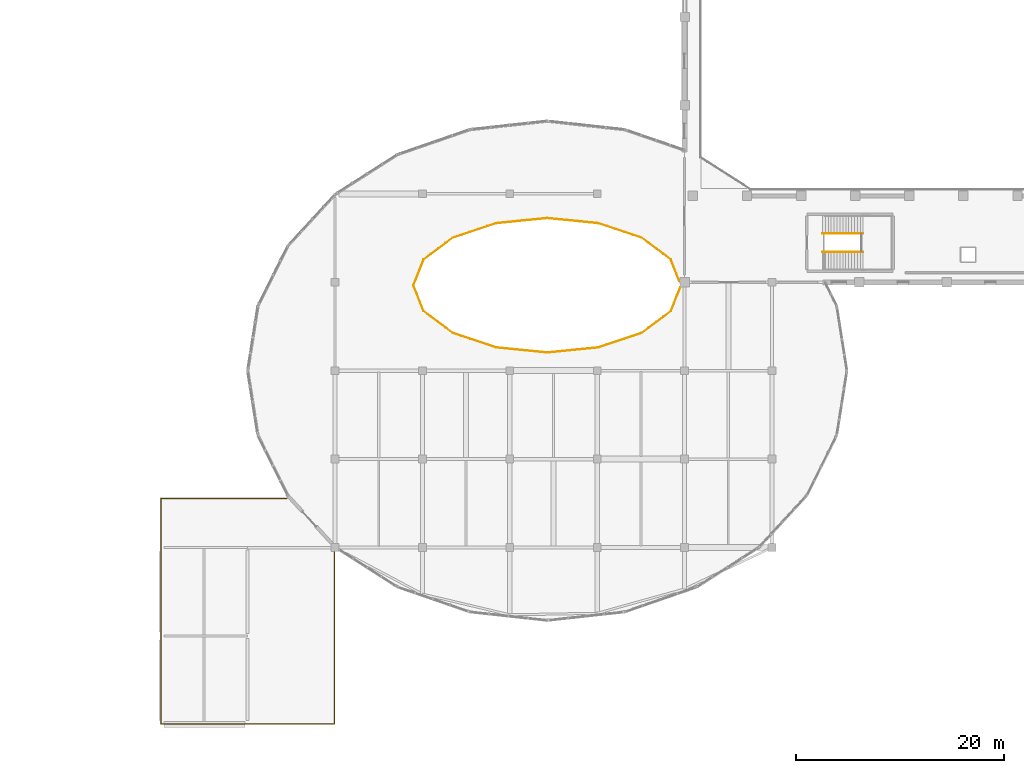
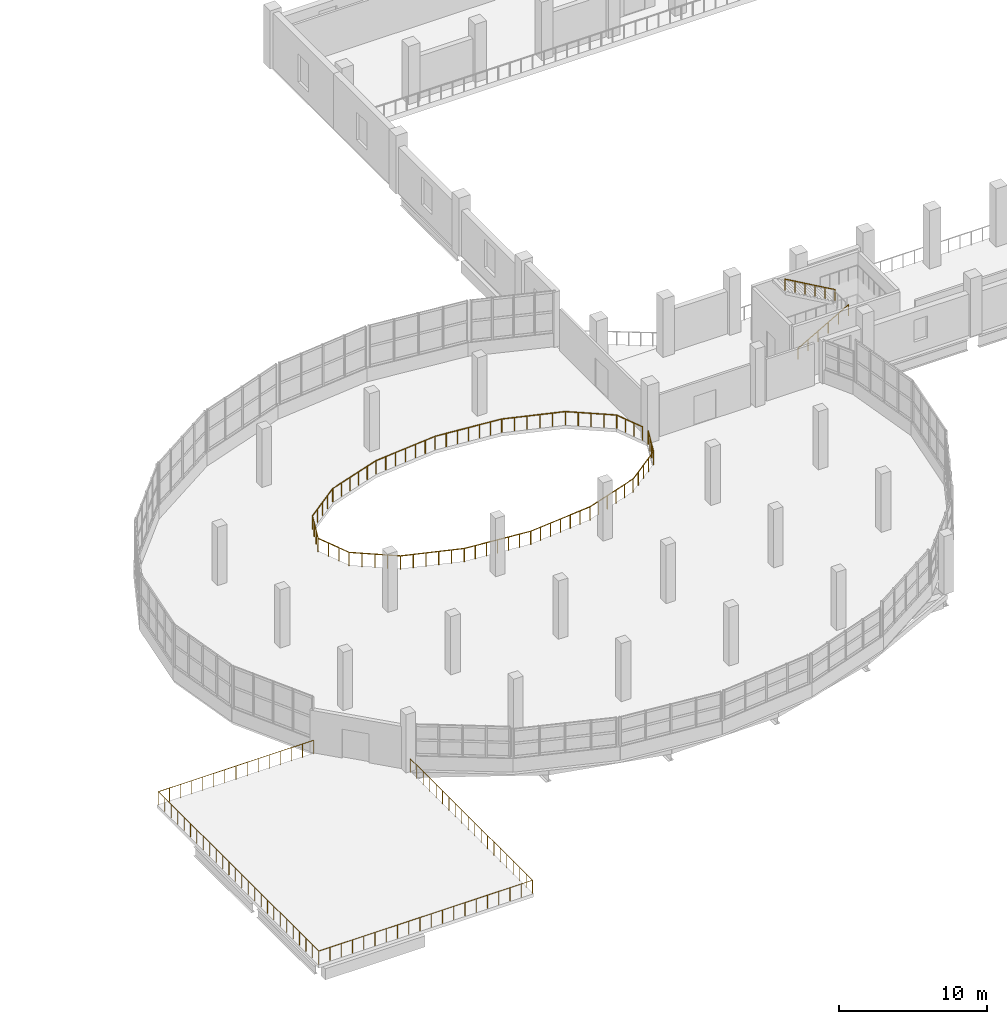
# One storey, part 70 of 77: 5 railings.
"""IFC4 building model written with IfcOpenShell, lengths in metres."""

from ifc_helpers import new_model, si_unit, direction, frame, origin, origin_2d, place, context, subcontext, project, spatial, circle, extrude, material, type_object, element, save


model = new_model("IFC4")

# Units and contexts
model_context = context("Model", 3, precision=1e-05, world=origin(), true_north=direction((0.0, 1.0)))
body_context = subcontext(model_context, "Body", "Model", "MODEL_VIEW")
ifc_project = project(units=[si_unit("LENGTHUNIT", "METRE"), si_unit("AREAUNIT", "SQUARE_METRE"), si_unit("VOLUMEUNIT", "CUBIC_METRE"), si_unit("PLANEANGLEUNIT", "RADIAN"), si_unit("MASSUNIT", "GRAM", prefix="KILO")], contexts=[model_context])

# Site, building, storey
site_placement = place(None, origin())
site = spatial("IfcSite", under=ifc_project, at=site_placement, CompositionType="ELEMENT")
building_placement = place(site_placement, origin())
building = spatial("IfcBuilding", under=site, at=building_placement, Name="Solvento Point Concert Hall", CompositionType="ELEMENT")
storey_placement = place(building_placement, frame((0.0, 0.0, 10.199951171875)))
storey = spatial("IfcBuildingStorey", under=building, at=storey_placement, Name="L02", CompositionType="ELEMENT", Elevation=10.199951171875)

# Railings
ifc_material_1 = material(Name="Brushed Stainless Steel Balustrade", Category="steel")
railing_type_1 = type_object("IfcRailingType", Name="StairHandrail_915", PredefinedType="HANDRAIL", material=ifc_material_1)
railing_1_placement = place(storey_placement, frame((87.64990234375, 45.409912109375, 0.16015625)))
element("IfcRailing", 1, at=railing_1_placement, inside=storey, type_object=railing_type_1, Name="Stair handrail HR-01 ST-06 L02 F1", PredefinedType="HANDRAIL", context=body_context, shape_type="SweptSolid", body=[
    extrude(circle(Radius=0.0224609375, at=origin_2d()), frame((0.0, 0.0, 0.892578125), z_axis=(0.86825312469, 0.0, 0.496121468458), x_axis=(0.0, 1.0, 0.0)), (0.0, 0.0, 1.0), 4.514892578125),
    extrude(circle(Radius=0.01904296875, at=origin_2d()), origin(), (0.0, 0.0, 1.0), 0.8701171875),
    extrude(circle(Radius=0.01904296875, at=origin_2d()), frame((0.783935546875, 0.0, 0.447998046875)), (0.0, 0.0, 1.0), 0.8701171875),
    extrude(circle(Radius=0.01904296875, at=origin_2d()), frame((1.568115234375, 0.0, 0.89599609375)), (0.0, 0.0, 1.0), 0.8701171875),
    extrude(circle(Radius=0.01904296875, at=origin_2d()), frame((2.35205078125, 0.0, 1.343994140625)), (0.0, 0.0, 1.0), 0.8701171875),
    extrude(circle(Radius=0.01904296875, at=origin_2d()), frame((3.13623046875, 0.0, 1.7919921875)), (0.0, 0.0, 1.0), 0.8701171875),
    extrude(circle(Radius=0.01904296875, at=origin_2d()), frame((3.920166015625, 0.0, 2.239990234375)), (0.0, 0.0, 1.0), 0.8701171875),
])
railing_2_placement = place(storey_placement, frame((91.570068359375, 47.18994140625, 2.56005859375)))
element("IfcRailing", 2, at=railing_2_placement, inside=storey, type_object=railing_type_1, Name="Stair handrail HR-01 ST-06 L02 F2", PredefinedType="HANDRAIL", context=body_context, shape_type="SweptSolid", body=[
    extrude(circle(Radius=0.0224609375, at=origin_2d()), frame((0.0, 0.0, 0.892578125), z_axis=(-0.86825312469, 0.0, 0.496121468458), x_axis=(0.0, -1.0, 0.0)), (0.0, 0.0, 1.0), 4.514892578125),
    extrude(circle(Radius=0.01904296875, at=origin_2d()), origin(), (0.0, 0.0, 1.0), 0.8701171875),
    extrude(circle(Radius=0.01904296875, at=origin_2d()), frame((-0.783935546875, 0.0, 0.447998046875)), (0.0, 0.0, 1.0), 0.8701171875),
    extrude(circle(Radius=0.01904296875, at=origin_2d()), frame((-1.568115234375, 0.0, 0.89599609375)), (0.0, 0.0, 1.0), 0.8701171875),
    extrude(circle(Radius=0.01904296875, at=origin_2d()), frame((-2.35205078125, 0.0, 1.343994140625)), (0.0, 0.0, 1.0), 0.8701171875),
    extrude(circle(Radius=0.01904296875, at=origin_2d()), frame((-3.13623046875, 0.0, 1.7919921875)), (0.0, 0.0, 1.0), 0.8701171875),
    extrude(circle(Radius=0.01904296875, at=origin_2d()), frame((-3.920166015625, 0.0, 2.239990234375)), (0.0, 0.0, 1.0), 0.8701171875),
])
ifc_material_2 = material(Name="Brushed Stainless Steel Balustrade", Category="steel")
railing_type_2 = type_object("IfcRailingType", Name="TerraceBalustrade_1100", PredefinedType="BALUSTRADE", material=ifc_material_2)
railing_3_placement = place(storey_placement, frame((40.739990234375, 16.574951171875, 0.0)))
element("IfcRailing", 3, at=railing_3_placement, inside=storey, type_object=railing_type_2, Name="Guard balustrade GR-01 L02", PredefinedType="BALUSTRADE", context=body_context, shape_type="SweptSolid", body=[
    extrude(circle(Radius=0.02392578125, at=origin_2d()), frame((0.0, 0.0, 1.09619140625), z_axis=(0.0, -1.0, 0.0), x_axis=(1.0, 0.0, 0.0)), (0.0, 0.0, 1.0), 16.514892578125),
    extrude(circle(Radius=0.02392578125, at=origin_2d()), frame((0.0, -16.514892578125, 1.09619140625), z_axis=(-1.0, 0.0, 0.0), x_axis=(0.0, -1.0, 0.0)), (0.0, 0.0, 1.0), 16.679931640625),
    extrude(circle(Radius=0.02392578125, at=origin_2d()), frame((-16.679931640625, -16.514892578125, 1.09619140625), z_axis=(0.0, 1.0, 0.0), x_axis=(-1.0, 0.0, 0.0)), (0.0, 0.0, 1.0), 21.679931640625),
    extrude(circle(Radius=0.02392578125, at=origin_2d()), frame((-16.679931640625, 5.1650390625, 1.09619140625), z_axis=(1.0, 0.0, 0.0), x_axis=(0.0, 1.0, 0.0)), (0.0, 0.0, 1.0), 12.111572265625),
    extrude(circle(Radius=0.02099609375, at=origin_2d()), origin(), (0.0, 0.0, 1.0), 1.072021484375),
    extrude(circle(Radius=0.02099609375, at=origin_2d()), frame((0.0, -0.869140625, 0.0)), (0.0, 0.0, 1.0), 1.072021484375),
    extrude(circle(Radius=0.02099609375, at=origin_2d()), frame((0.0, -1.738525390625, 0.0)), (0.0, 0.0, 1.0), 1.072021484375),
    extrude(circle(Radius=0.02099609375, at=origin_2d()), frame((0.0, -2.607666015625, 0.0)), (0.0, 0.0, 1.0), 1.072021484375),
    extrude(circle(Radius=0.02099609375, at=origin_2d()), frame((0.0, -3.476806640625, 0.0)), (0.0, 0.0, 1.0), 1.072021484375),
    extrude(circle(Radius=0.02099609375, at=origin_2d()), frame((0.0, -4.345947265625, 0.0)), (0.0, 0.0, 1.0), 1.072021484375),
    extrude(circle(Radius=0.02099609375, at=origin_2d()), frame((0.0, -5.21533203125, 0.0)), (0.0, 0.0, 1.0), 1.072021484375),
    extrude(circle(Radius=0.02099609375, at=origin_2d()), frame((0.0, -6.08447265625, 0.0)), (0.0, 0.0, 1.0), 1.072021484375),
    extrude(circle(Radius=0.02099609375, at=origin_2d()), frame((0.0, -6.95361328125, 0.0)), (0.0, 0.0, 1.0), 1.072021484375),
    extrude(circle(Radius=0.02099609375, at=origin_2d()), frame((0.0, -7.82275390625, 0.0)), (0.0, 0.0, 1.0), 1.072021484375),
    extrude(circle(Radius=0.02099609375, at=origin_2d()), frame((0.0, -8.692138671875, 0.0)), (0.0, 0.0, 1.0), 1.072021484375),
    extrude(circle(Radius=0.02099609375, at=origin_2d()), frame((0.0, -9.561279296875, 0.0)), (0.0, 0.0, 1.0), 1.072021484375),
    extrude(circle(Radius=0.02099609375, at=origin_2d()), frame((0.0, -10.430419921875, 0.0)), (0.0, 0.0, 1.0), 1.072021484375),
    extrude(circle(Radius=0.02099609375, at=origin_2d()), frame((0.0, -11.299560546875, 0.0)), (0.0, 0.0, 1.0), 1.072021484375),
    extrude(circle(Radius=0.02099609375, at=origin_2d()), frame((0.0, -12.1689453125, 0.0)), (0.0, 0.0, 1.0), 1.072021484375),
    extrude(circle(Radius=0.02099609375, at=origin_2d()), frame((0.0, -13.0380859375, 0.0)), (0.0, 0.0, 1.0), 1.072021484375),
    extrude(circle(Radius=0.02099609375, at=origin_2d()), frame((0.0, -13.9072265625, 0.0)), (0.0, 0.0, 1.0), 1.072021484375),
    extrude(circle(Radius=0.02099609375, at=origin_2d()), frame((0.0, -14.7763671875, 0.0)), (0.0, 0.0, 1.0), 1.072021484375),
    extrude(circle(Radius=0.02099609375, at=origin_2d()), frame((0.0, -15.645751953125, 0.0)), (0.0, 0.0, 1.0), 1.072021484375),
    extrude(circle(Radius=0.02099609375, at=origin_2d()), frame((0.0, -16.514892578125, 0.0)), (0.0, 0.0, 1.0), 1.072021484375),
    extrude(circle(Radius=0.02099609375, at=origin_2d()), frame((-0.8779296875, -16.514892578125, 0.0)), (0.0, 0.0, 1.0), 1.072021484375),
    extrude(circle(Radius=0.02099609375, at=origin_2d()), frame((-1.755859375, -16.514892578125, 0.0)), (0.0, 0.0, 1.0), 1.072021484375),
    extrude(circle(Radius=0.02099609375, at=origin_2d()), frame((-2.6337890625, -16.514892578125, 0.0)), (0.0, 0.0, 1.0), 1.072021484375),
    extrude(circle(Radius=0.02099609375, at=origin_2d()), frame((-3.511474609375, -16.514892578125, 0.0)), (0.0, 0.0, 1.0), 1.072021484375),
    extrude(circle(Radius=0.02099609375, at=origin_2d()), frame((-4.389404296875, -16.514892578125, 0.0)), (0.0, 0.0, 1.0), 1.072021484375),
    extrude(circle(Radius=0.02099609375, at=origin_2d()), frame((-5.267333984375, -16.514892578125, 0.0)), (0.0, 0.0, 1.0), 1.072021484375),
    extrude(circle(Radius=0.02099609375, at=origin_2d()), frame((-6.145263671875, -16.514892578125, 0.0)), (0.0, 0.0, 1.0), 1.072021484375),
    extrude(circle(Radius=0.02099609375, at=origin_2d()), frame((-7.023193359375, -16.514892578125, 0.0)), (0.0, 0.0, 1.0), 1.072021484375),
    extrude(circle(Radius=0.02099609375, at=origin_2d()), frame((-7.901123046875, -16.514892578125, 0.0)), (0.0, 0.0, 1.0), 1.072021484375),
    extrude(circle(Radius=0.02099609375, at=origin_2d()), frame((-8.77880859375, -16.514892578125, 0.0)), (0.0, 0.0, 1.0), 1.072021484375),
    extrude(circle(Radius=0.02099609375, at=origin_2d()), frame((-9.65673828125, -16.514892578125, 0.0)), (0.0, 0.0, 1.0), 1.072021484375),
    extrude(circle(Radius=0.02099609375, at=origin_2d()), frame((-10.53466796875, -16.514892578125, 0.0)), (0.0, 0.0, 1.0), 1.072021484375),
    extrude(circle(Radius=0.02099609375, at=origin_2d()), frame((-11.41259765625, -16.514892578125, 0.0)), (0.0, 0.0, 1.0), 1.072021484375),
    extrude(circle(Radius=0.02099609375, at=origin_2d()), frame((-12.29052734375, -16.514892578125, 0.0)), (0.0, 0.0, 1.0), 1.072021484375),
    extrude(circle(Radius=0.02099609375, at=origin_2d()), frame((-13.16845703125, -16.514892578125, 0.0)), (0.0, 0.0, 1.0), 1.072021484375),
    extrude(circle(Radius=0.02099609375, at=origin_2d()), frame((-14.046142578125, -16.514892578125, 0.0)), (0.0, 0.0, 1.0), 1.072021484375),
    extrude(circle(Radius=0.02099609375, at=origin_2d()), frame((-14.924072265625, -16.514892578125, 0.0)), (0.0, 0.0, 1.0), 1.072021484375),
    extrude(circle(Radius=0.02099609375, at=origin_2d()), frame((-15.802001953125, -16.514892578125, 0.0)), (0.0, 0.0, 1.0), 1.072021484375),
    extrude(circle(Radius=0.02099609375, at=origin_2d()), frame((-16.679931640625, -16.514892578125, 0.0)), (0.0, 0.0, 1.0), 1.072021484375),
    extrude(circle(Radius=0.02099609375, at=origin_2d()), frame((-16.679931640625, -15.647705078125, 0.0)), (0.0, 0.0, 1.0), 1.072021484375),
    extrude(circle(Radius=0.02099609375, at=origin_2d()), frame((-16.679931640625, -14.780517578125, 0.0)), (0.0, 0.0, 1.0), 1.072021484375),
    extrude(circle(Radius=0.02099609375, at=origin_2d()), frame((-16.679931640625, -13.913330078125, 0.0)), (0.0, 0.0, 1.0), 1.072021484375),
    extrude(circle(Radius=0.02099609375, at=origin_2d()), frame((-16.679931640625, -13.046142578125, 0.0)), (0.0, 0.0, 1.0), 1.072021484375),
    extrude(circle(Radius=0.02099609375, at=origin_2d()), frame((-16.679931640625, -12.178955078125, 0.0)), (0.0, 0.0, 1.0), 1.072021484375),
    extrude(circle(Radius=0.02099609375, at=origin_2d()), frame((-16.679931640625, -11.311767578125, 0.0)), (0.0, 0.0, 1.0), 1.072021484375),
    extrude(circle(Radius=0.02099609375, at=origin_2d()), frame((-16.679931640625, -10.444580078125, 0.0)), (0.0, 0.0, 1.0), 1.072021484375),
    extrude(circle(Radius=0.02099609375, at=origin_2d()), frame((-16.679931640625, -9.577392578125, 0.0)), (0.0, 0.0, 1.0), 1.072021484375),
    extrude(circle(Radius=0.02099609375, at=origin_2d()), frame((-16.679931640625, -8.710205078125, 0.0)), (0.0, 0.0, 1.0), 1.072021484375),
    extrude(circle(Radius=0.02099609375, at=origin_2d()), frame((-16.679931640625, -7.843017578125, 0.0)), (0.0, 0.0, 1.0), 1.072021484375),
    extrude(circle(Radius=0.02099609375, at=origin_2d()), frame((-16.679931640625, -6.975830078125, 0.0)), (0.0, 0.0, 1.0), 1.072021484375),
    extrude(circle(Radius=0.02099609375, at=origin_2d()), frame((-16.679931640625, -6.108642578125, 0.0)), (0.0, 0.0, 1.0), 1.072021484375),
    extrude(circle(Radius=0.02099609375, at=origin_2d()), frame((-16.679931640625, -5.2412109375, 0.0)), (0.0, 0.0, 1.0), 1.072021484375),
    extrude(circle(Radius=0.02099609375, at=origin_2d()), frame((-16.679931640625, -4.3740234375, 0.0)), (0.0, 0.0, 1.0), 1.072021484375),
    extrude(circle(Radius=0.02099609375, at=origin_2d()), frame((-16.679931640625, -3.5068359375, 0.0)), (0.0, 0.0, 1.0), 1.072021484375),
    extrude(circle(Radius=0.02099609375, at=origin_2d()), frame((-16.679931640625, -2.6396484375, 0.0)), (0.0, 0.0, 1.0), 1.072021484375),
    extrude(circle(Radius=0.02099609375, at=origin_2d()), frame((-16.679931640625, -1.7724609375, 0.0)), (0.0, 0.0, 1.0), 1.072021484375),
    extrude(circle(Radius=0.02099609375, at=origin_2d()), frame((-16.679931640625, -0.9052734375, 0.0)), (0.0, 0.0, 1.0), 1.072021484375),
    extrude(circle(Radius=0.02099609375, at=origin_2d()), frame((-16.679931640625, -0.0380859375, 0.0)), (0.0, 0.0, 1.0), 1.072021484375),
    extrude(circle(Radius=0.02099609375, at=origin_2d()), frame((-16.679931640625, 0.8291015625, 0.0)), (0.0, 0.0, 1.0), 1.072021484375),
    extrude(circle(Radius=0.02099609375, at=origin_2d()), frame((-16.679931640625, 1.6962890625, 0.0)), (0.0, 0.0, 1.0), 1.072021484375),
    extrude(circle(Radius=0.02099609375, at=origin_2d()), frame((-16.679931640625, 2.5634765625, 0.0)), (0.0, 0.0, 1.0), 1.072021484375),
    extrude(circle(Radius=0.02099609375, at=origin_2d()), frame((-16.679931640625, 3.4306640625, 0.0)), (0.0, 0.0, 1.0), 1.072021484375),
    extrude(circle(Radius=0.02099609375, at=origin_2d()), frame((-16.679931640625, 4.2978515625, 0.0)), (0.0, 0.0, 1.0), 1.072021484375),
    extrude(circle(Radius=0.02099609375, at=origin_2d()), frame((-16.679931640625, 5.1650390625, 0.0)), (0.0, 0.0, 1.0), 1.072021484375),
    extrude(circle(Radius=0.02099609375, at=origin_2d()), frame((-15.81494140625, 5.1650390625, 0.0)), (0.0, 0.0, 1.0), 1.072021484375),
    extrude(circle(Radius=0.02099609375, at=origin_2d()), frame((-14.94970703125, 5.1650390625, 0.0)), (0.0, 0.0, 1.0), 1.072021484375),
    extrude(circle(Radius=0.02099609375, at=origin_2d()), frame((-14.08447265625, 5.1650390625, 0.0)), (0.0, 0.0, 1.0), 1.072021484375),
    extrude(circle(Radius=0.02099609375, at=origin_2d()), frame((-13.219482421875, 5.1650390625, 0.0)), (0.0, 0.0, 1.0), 1.072021484375),
    extrude(circle(Radius=0.02099609375, at=origin_2d()), frame((-12.3544921875, 5.1650390625, 0.0)), (0.0, 0.0, 1.0), 1.072021484375),
    extrude(circle(Radius=0.02099609375, at=origin_2d()), frame((-11.4892578125, 5.1650390625, 0.0)), (0.0, 0.0, 1.0), 1.072021484375),
    extrude(circle(Radius=0.02099609375, at=origin_2d()), frame((-10.6240234375, 5.1650390625, 0.0)), (0.0, 0.0, 1.0), 1.072021484375),
    extrude(circle(Radius=0.02099609375, at=origin_2d()), frame((-9.759033203125, 5.1650390625, 0.0)), (0.0, 0.0, 1.0), 1.072021484375),
    extrude(circle(Radius=0.02099609375, at=origin_2d()), frame((-8.89404296875, 5.1650390625, 0.0)), (0.0, 0.0, 1.0), 1.072021484375),
    extrude(circle(Radius=0.02099609375, at=origin_2d()), frame((-8.02880859375, 5.1650390625, 0.0)), (0.0, 0.0, 1.0), 1.072021484375),
    extrude(circle(Radius=0.02099609375, at=origin_2d()), frame((-7.16357421875, 5.1650390625, 0.0)), (0.0, 0.0, 1.0), 1.072021484375),
    extrude(circle(Radius=0.02099609375, at=origin_2d()), frame((-6.298583984375, 5.1650390625, 0.0)), (0.0, 0.0, 1.0), 1.072021484375),
    extrude(circle(Radius=0.02099609375, at=origin_2d()), frame((-5.43359375, 5.1650390625, 0.0)), (0.0, 0.0, 1.0), 1.072021484375),
    extrude(circle(Radius=0.02099609375, at=origin_2d()), frame((-4.568359375, 5.1650390625, 0.0)), (0.0, 0.0, 1.0), 1.072021484375),
])
railing_4_placement = place(storey_placement, frame((52.120849609375, 46.779296875, 0.0)))
element("IfcRailing", 4, at=railing_4_placement, inside=storey, type_object=railing_type_2, Name="Guard balustrade GR-01 L02", PredefinedType="BALUSTRADE", context=body_context, shape_type="SweptSolid", body=[
    extrude(circle(Radius=0.02392578125, at=origin_2d()), frame((0.0, 0.0, 1.09619140625), z_axis=(-0.800662244724, -0.599115990333, 0.0), x_axis=(0.599115990333, -0.800662244724, 0.0)), (0.0, 0.0, 1.0), 3.4921875),
    extrude(circle(Radius=0.02392578125, at=origin_2d()), frame((-2.796142578125, -2.09228515625, 1.09619140625), z_axis=(-0.369597166612, -0.92919208694, 0.0), x_axis=(0.92919208694, -0.369597166612, 0.0)), (0.0, 0.0, 1.0), 2.676513671875),
    extrude(circle(Radius=0.02392578125, at=origin_2d()), frame((-3.785400390625, -4.579345703125, 1.09619140625), z_axis=(0.369597166612, -0.92919208694, 0.0), x_axis=(0.92919208694, 0.369597166612, 0.0)), (0.0, 0.0, 1.0), 2.676513671875),
    extrude(circle(Radius=0.02392578125, at=origin_2d()), frame((-2.796142578125, -7.06640625, 1.09619140625), z_axis=(0.800662244724, -0.599115990333, 0.0), x_axis=(0.599115990333, 0.800662244724, 0.0)), (0.0, 0.0, 1.0), 3.4921875),
    extrude(circle(Radius=0.02392578125, at=origin_2d()), frame((0.0, -9.15869140625, 1.09619140625), z_axis=(0.948483111882, -0.31682769209, 0.0), x_axis=(0.31682769209, 0.948483111882, 0.0)), (0.0, 0.0, 1.0), 4.39453125),
    extrude(circle(Radius=0.02392578125, at=origin_2d()), frame((4.168212890625, -10.551025390625, 1.09619140625), z_axis=(0.995088486481, -0.098989413942, 0.0), x_axis=(0.098989413942, 0.995088486481, 0.0)), (0.0, 0.0, 1.0), 4.93505859375),
    extrude(circle(Radius=0.02392578125, at=origin_2d()), frame((9.0791015625, -11.03955078125, 1.09619140625), z_axis=(0.995088486481, 0.098989413942, 0.0), x_axis=(-0.098989413942, 0.995088486481, 0.0)), (0.0, 0.0, 1.0), 4.93505859375),
    extrude(circle(Radius=0.02392578125, at=origin_2d()), frame((13.989990234375, -10.551025390625, 1.09619140625), z_axis=(0.948488687996, 0.316810998456, 0.0), x_axis=(-0.316810998456, 0.948488687996, 0.0)), (0.0, 0.0, 1.0), 4.394775390625),
    extrude(circle(Radius=0.02392578125, at=origin_2d()), frame((18.158447265625, -9.15869140625, 1.09619140625), z_axis=(0.800637149656, 0.59914952607, 0.0), x_axis=(-0.59914952607, 0.800637149656, 0.0)), (0.0, 0.0, 1.0), 3.4921875),
    extrude(circle(Radius=0.02392578125, at=origin_2d()), frame((20.954345703125, -7.06640625, 1.09619140625), z_axis=(0.369662845052, 0.929165959874, 0.0), x_axis=(-0.929165959874, 0.369662845052, 0.0)), (0.0, 0.0, 1.0), 2.46142578125),
    extrude(circle(Radius=0.02099609375, at=origin_2d()), origin(), (0.0, 0.0, 1.0), 1.072021484375),
    extrude(circle(Radius=0.02099609375, at=origin_2d()), frame((-0.698974609375, -0.52294921875, 0.0)), (0.0, 0.0, 1.0), 1.072021484375),
    extrude(circle(Radius=0.02099609375, at=origin_2d()), frame((-1.39794921875, -1.046142578125, 0.0)), (0.0, 0.0, 1.0), 1.072021484375),
    extrude(circle(Radius=0.02099609375, at=origin_2d()), frame((-2.09716796875, -1.5693359375, 0.0)), (0.0, 0.0, 1.0), 1.072021484375),
    extrude(circle(Radius=0.02099609375, at=origin_2d()), frame((-2.796142578125, -2.09228515625, 0.0)), (0.0, 0.0, 1.0), 1.072021484375),
    extrude(circle(Radius=0.02099609375, at=origin_2d()), frame((-3.1259765625, -2.92138671875, 0.0)), (0.0, 0.0, 1.0), 1.072021484375),
    extrude(circle(Radius=0.02099609375, at=origin_2d()), frame((-3.45556640625, -3.750244140625, 0.0)), (0.0, 0.0, 1.0), 1.072021484375),
    extrude(circle(Radius=0.02099609375, at=origin_2d()), frame((-3.785400390625, -4.579345703125, 0.0)), (0.0, 0.0, 1.0), 1.072021484375),
    extrude(circle(Radius=0.02099609375, at=origin_2d()), frame((-3.45556640625, -5.408447265625, 0.0)), (0.0, 0.0, 1.0), 1.072021484375),
    extrude(circle(Radius=0.02099609375, at=origin_2d()), frame((-3.1259765625, -6.2373046875, 0.0)), (0.0, 0.0, 1.0), 1.072021484375),
    extrude(circle(Radius=0.02099609375, at=origin_2d()), frame((-2.796142578125, -7.06640625, 0.0)), (0.0, 0.0, 1.0), 1.072021484375),
    extrude(circle(Radius=0.02099609375, at=origin_2d()), frame((-2.09716796875, -7.58935546875, 0.0)), (0.0, 0.0, 1.0), 1.072021484375),
    extrude(circle(Radius=0.02099609375, at=origin_2d()), frame((-1.39794921875, -8.112548828125, 0.0)), (0.0, 0.0, 1.0), 1.072021484375),
    extrude(circle(Radius=0.02099609375, at=origin_2d()), frame((-0.698974609375, -8.6357421875, 0.0)), (0.0, 0.0, 1.0), 1.072021484375),
    extrude(circle(Radius=0.02099609375, at=origin_2d()), frame((0.0, -9.15869140625, 0.0)), (0.0, 0.0, 1.0), 1.072021484375),
    extrude(circle(Radius=0.02099609375, at=origin_2d()), frame((0.833740234375, -9.437255859375, 0.0)), (0.0, 0.0, 1.0), 1.072021484375),
    extrude(circle(Radius=0.02099609375, at=origin_2d()), frame((1.667236328125, -9.715576171875, 0.0)), (0.0, 0.0, 1.0), 1.072021484375),
    extrude(circle(Radius=0.02099609375, at=origin_2d()), frame((2.5009765625, -9.994140625, 0.0)), (0.0, 0.0, 1.0), 1.072021484375),
    extrude(circle(Radius=0.02099609375, at=origin_2d()), frame((3.33447265625, -10.2724609375, 0.0)), (0.0, 0.0, 1.0), 1.072021484375),
    extrude(circle(Radius=0.02099609375, at=origin_2d()), frame((4.168212890625, -10.551025390625, 0.0)), (0.0, 0.0, 1.0), 1.072021484375),
    extrude(circle(Radius=0.02099609375, at=origin_2d()), frame((4.98681640625, -10.63232421875, 0.0)), (0.0, 0.0, 1.0), 1.072021484375),
    extrude(circle(Radius=0.02099609375, at=origin_2d()), frame((5.80517578125, -10.7138671875, 0.0)), (0.0, 0.0, 1.0), 1.072021484375),
    extrude(circle(Radius=0.02099609375, at=origin_2d()), frame((6.62353515625, -10.79541015625, 0.0)), (0.0, 0.0, 1.0), 1.072021484375),
    extrude(circle(Radius=0.02099609375, at=origin_2d()), frame((7.442138671875, -10.876708984375, 0.0)), (0.0, 0.0, 1.0), 1.072021484375),
    extrude(circle(Radius=0.02099609375, at=origin_2d()), frame((8.2607421875, -10.9580078125, 0.0)), (0.0, 0.0, 1.0), 1.072021484375),
    extrude(circle(Radius=0.02099609375, at=origin_2d()), frame((9.0791015625, -11.03955078125, 0.0)), (0.0, 0.0, 1.0), 1.072021484375),
    extrude(circle(Radius=0.02099609375, at=origin_2d()), frame((9.8974609375, -10.9580078125, 0.0)), (0.0, 0.0, 1.0), 1.072021484375),
    extrude(circle(Radius=0.02099609375, at=origin_2d()), frame((10.716064453125, -10.876708984375, 0.0)), (0.0, 0.0, 1.0), 1.072021484375),
    extrude(circle(Radius=0.02099609375, at=origin_2d()), frame((11.53466796875, -10.79541015625, 0.0)), (0.0, 0.0, 1.0), 1.072021484375),
    extrude(circle(Radius=0.02099609375, at=origin_2d()), frame((12.35302734375, -10.7138671875, 0.0)), (0.0, 0.0, 1.0), 1.072021484375),
    extrude(circle(Radius=0.02099609375, at=origin_2d()), frame((13.17138671875, -10.63232421875, 0.0)), (0.0, 0.0, 1.0), 1.072021484375),
    extrude(circle(Radius=0.02099609375, at=origin_2d()), frame((13.989990234375, -10.551025390625, 0.0)), (0.0, 0.0, 1.0), 1.072021484375),
    extrude(circle(Radius=0.02099609375, at=origin_2d()), frame((14.82373046875, -10.2724609375, 0.0)), (0.0, 0.0, 1.0), 1.072021484375),
    extrude(circle(Radius=0.02099609375, at=origin_2d()), frame((15.657470703125, -9.994140625, 0.0)), (0.0, 0.0, 1.0), 1.072021484375),
    extrude(circle(Radius=0.02099609375, at=origin_2d()), frame((16.490966796875, -9.715576171875, 0.0)), (0.0, 0.0, 1.0), 1.072021484375),
    extrude(circle(Radius=0.02099609375, at=origin_2d()), frame((17.32470703125, -9.437255859375, 0.0)), (0.0, 0.0, 1.0), 1.072021484375),
    extrude(circle(Radius=0.02099609375, at=origin_2d()), frame((18.158447265625, -9.15869140625, 0.0)), (0.0, 0.0, 1.0), 1.072021484375),
    extrude(circle(Radius=0.02099609375, at=origin_2d()), frame((18.857421875, -8.6357421875, 0.0)), (0.0, 0.0, 1.0), 1.072021484375),
    extrude(circle(Radius=0.02099609375, at=origin_2d()), frame((19.556396484375, -8.112548828125, 0.0)), (0.0, 0.0, 1.0), 1.072021484375),
    extrude(circle(Radius=0.02099609375, at=origin_2d()), frame((20.25537109375, -7.58935546875, 0.0)), (0.0, 0.0, 1.0), 1.072021484375),
    extrude(circle(Radius=0.02099609375, at=origin_2d()), frame((20.954345703125, -7.06640625, 0.0)), (0.0, 0.0, 1.0), 1.072021484375),
    extrude(circle(Radius=0.02099609375, at=origin_2d()), frame((21.257568359375, -6.303955078125, 0.0)), (0.0, 0.0, 1.0), 1.072021484375),
    extrude(circle(Radius=0.02099609375, at=origin_2d()), frame((21.56103515625, -5.541748046875, 0.0)), (0.0, 0.0, 1.0), 1.072021484375),
    extrude(circle(Radius=0.02099609375, at=origin_2d()), frame((21.8642578125, -4.779296875, 0.0)), (0.0, 0.0, 1.0), 1.072021484375),
])
railing_5_placement = place(storey_placement, frame((73.89990234375, 42.61376953125, 0.0)))
element("IfcRailing", 5, at=railing_5_placement, inside=storey, type_object=railing_type_2, Name="Guard balustrade GR-01 L02", PredefinedType="BALUSTRADE", context=body_context, shape_type="SweptSolid", body=[
    extrude(circle(Radius=0.02392578125, at=origin_2d()), frame((0.0, 0.0, 1.09619140625), z_axis=(-0.369616660008, 0.929184332974, 0.0), x_axis=(-0.929184332974, -0.369616660008, 0.0)), (0.0, 0.0, 1.0), 2.231201171875),
    extrude(circle(Radius=0.02392578125, at=origin_2d()), frame((-0.82470703125, 2.0732421875, 1.09619140625), z_axis=(-0.800637149656, 0.59914952607, 0.0), x_axis=(-0.59914952607, -0.800637149656, 0.0)), (0.0, 0.0, 1.0), 3.4921875),
    extrude(circle(Radius=0.02392578125, at=origin_2d()), frame((-3.62060546875, 4.16552734375, 1.09619140625), z_axis=(-0.94847199417, 0.316860973102, 0.0), x_axis=(-0.316860973102, -0.94847199417, 0.0)), (0.0, 0.0, 1.0), 4.39501953125),
    extrude(circle(Radius=0.02392578125, at=origin_2d()), frame((-7.7890625, 5.55810546875, 1.09619140625), z_axis=(-0.995088486481, 0.098989413942, 0.0), x_axis=(-0.098989413942, -0.995088486481, 0.0)), (0.0, 0.0, 1.0), 4.93505859375),
    extrude(circle(Radius=0.02392578125, at=origin_2d()), frame((-12.699951171875, 6.046630859375, 1.09619140625), z_axis=(-0.995088486481, -0.098989413942, 0.0), x_axis=(0.098989413942, -0.995088486481, 0.0)), (0.0, 0.0, 1.0), 4.93505859375),
    extrude(circle(Radius=0.02392578125, at=origin_2d()), frame((-17.61083984375, 5.55810546875, 1.09619140625), z_axis=(-0.948466416394, -0.316877668782, 0.0), x_axis=(0.316877668782, -0.948466416394, 0.0)), (0.0, 0.0, 1.0), 4.394775390625),
    extrude(circle(Radius=0.02099609375, at=origin_2d()), origin(), (0.0, 0.0, 1.0), 1.072021484375),
    extrude(circle(Radius=0.02099609375, at=origin_2d()), frame((-0.27490234375, 0.691162109375, 0.0)), (0.0, 0.0, 1.0), 1.072021484375),
    extrude(circle(Radius=0.02099609375, at=origin_2d()), frame((-0.5498046875, 1.382080078125, 0.0)), (0.0, 0.0, 1.0), 1.072021484375),
    extrude(circle(Radius=0.02099609375, at=origin_2d()), frame((-0.82470703125, 2.0732421875, 0.0)), (0.0, 0.0, 1.0), 1.072021484375),
    extrude(circle(Radius=0.02099609375, at=origin_2d()), frame((-1.523681640625, 2.59619140625, 0.0)), (0.0, 0.0, 1.0), 1.072021484375),
    extrude(circle(Radius=0.02099609375, at=origin_2d()), frame((-2.22265625, 3.119384765625, 0.0)), (0.0, 0.0, 1.0), 1.072021484375),
    extrude(circle(Radius=0.02099609375, at=origin_2d()), frame((-2.921630859375, 3.642578125, 0.0)), (0.0, 0.0, 1.0), 1.072021484375),
    extrude(circle(Radius=0.02099609375, at=origin_2d()), frame((-3.62060546875, 4.16552734375, 0.0)), (0.0, 0.0, 1.0), 1.072021484375),
    extrude(circle(Radius=0.02099609375, at=origin_2d()), frame((-4.454345703125, 4.444091796875, 0.0)), (0.0, 0.0, 1.0), 1.072021484375),
    extrude(circle(Radius=0.02099609375, at=origin_2d()), frame((-5.2880859375, 4.72265625, 0.0)), (0.0, 0.0, 1.0), 1.072021484375),
    extrude(circle(Radius=0.02099609375, at=origin_2d()), frame((-6.12158203125, 5.0009765625, 0.0)), (0.0, 0.0, 1.0), 1.072021484375),
    extrude(circle(Radius=0.02099609375, at=origin_2d()), frame((-6.955322265625, 5.279541015625, 0.0)), (0.0, 0.0, 1.0), 1.072021484375),
    extrude(circle(Radius=0.02099609375, at=origin_2d()), frame((-7.7890625, 5.55810546875, 0.0)), (0.0, 0.0, 1.0), 1.072021484375),
    extrude(circle(Radius=0.02099609375, at=origin_2d()), frame((-8.607421875, 5.6396484375, 0.0)), (0.0, 0.0, 1.0), 1.072021484375),
    extrude(circle(Radius=0.02099609375, at=origin_2d()), frame((-9.426025390625, 5.720947265625, 0.0)), (0.0, 0.0, 1.0), 1.072021484375),
    extrude(circle(Radius=0.02099609375, at=origin_2d()), frame((-10.24462890625, 5.80224609375, 0.0)), (0.0, 0.0, 1.0), 1.072021484375),
    extrude(circle(Radius=0.02099609375, at=origin_2d()), frame((-11.06298828125, 5.8837890625, 0.0)), (0.0, 0.0, 1.0), 1.072021484375),
    extrude(circle(Radius=0.02099609375, at=origin_2d()), frame((-11.88134765625, 5.96533203125, 0.0)), (0.0, 0.0, 1.0), 1.072021484375),
    extrude(circle(Radius=0.02099609375, at=origin_2d()), frame((-12.699951171875, 6.046630859375, 0.0)), (0.0, 0.0, 1.0), 1.072021484375),
    extrude(circle(Radius=0.02099609375, at=origin_2d()), frame((-13.5185546875, 5.96533203125, 0.0)), (0.0, 0.0, 1.0), 1.072021484375),
    extrude(circle(Radius=0.02099609375, at=origin_2d()), frame((-14.3369140625, 5.8837890625, 0.0)), (0.0, 0.0, 1.0), 1.072021484375),
    extrude(circle(Radius=0.02099609375, at=origin_2d()), frame((-15.1552734375, 5.80224609375, 0.0)), (0.0, 0.0, 1.0), 1.072021484375),
    extrude(circle(Radius=0.02099609375, at=origin_2d()), frame((-15.973876953125, 5.720947265625, 0.0)), (0.0, 0.0, 1.0), 1.072021484375),
    extrude(circle(Radius=0.02099609375, at=origin_2d()), frame((-16.79248046875, 5.6396484375, 0.0)), (0.0, 0.0, 1.0), 1.072021484375),
    extrude(circle(Radius=0.02099609375, at=origin_2d()), frame((-17.61083984375, 5.55810546875, 0.0)), (0.0, 0.0, 1.0), 1.072021484375),
    extrude(circle(Radius=0.02099609375, at=origin_2d()), frame((-18.444580078125, 5.279541015625, 0.0)), (0.0, 0.0, 1.0), 1.072021484375),
    extrude(circle(Radius=0.02099609375, at=origin_2d()), frame((-19.278076171875, 5.0009765625, 0.0)), (0.0, 0.0, 1.0), 1.072021484375),
    extrude(circle(Radius=0.02099609375, at=origin_2d()), frame((-20.11181640625, 4.72265625, 0.0)), (0.0, 0.0, 1.0), 1.072021484375),
    extrude(circle(Radius=0.02099609375, at=origin_2d()), frame((-20.9453125, 4.444091796875, 0.0)), (0.0, 0.0, 1.0), 1.072021484375),
    extrude(circle(Radius=0.02099609375, at=origin_2d()), frame((-21.779052734375, 4.16552734375, 0.0)), (0.0, 0.0, 1.0), 1.072021484375),
])

save(model, "model.ifc")
